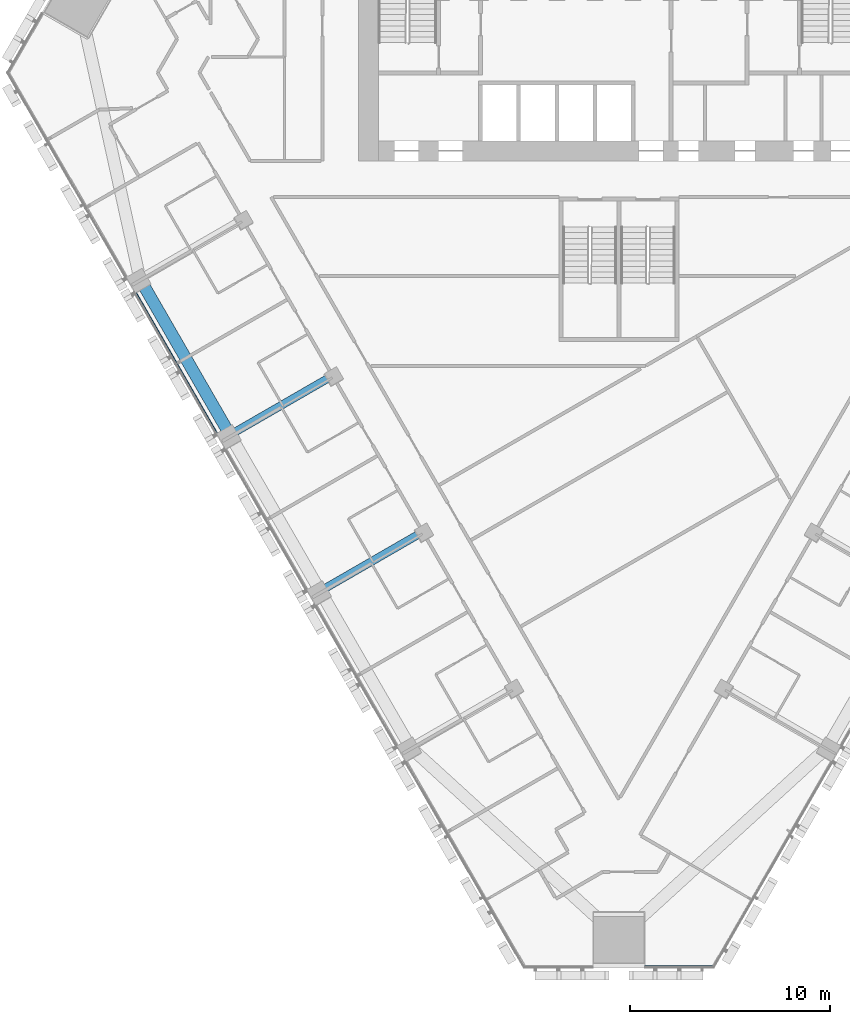
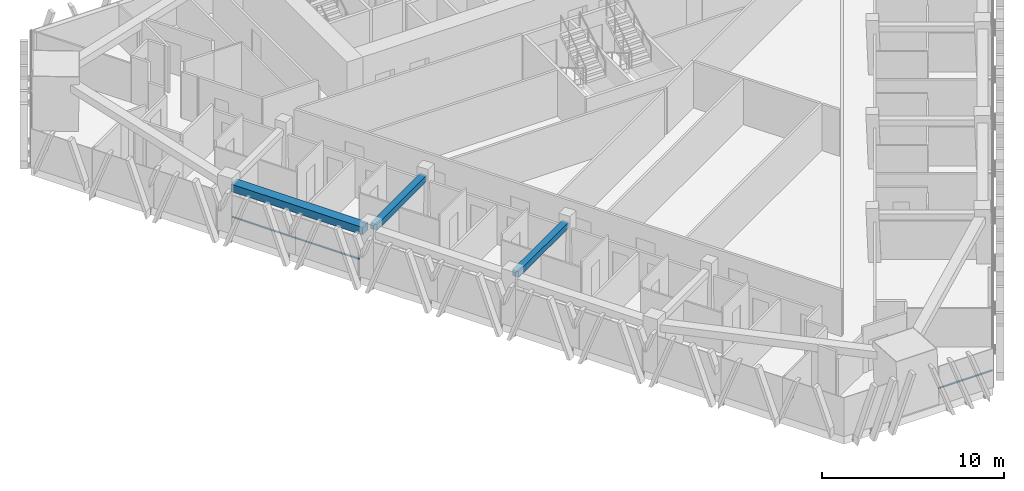
# One storey, part 3 of 17: 3 beams, 2 members, 2 elements without a shape of their own.
"""IFC4 building model written with IfcOpenShell, lengths in metres."""

from ifc_helpers import new_model, si_unit, direction, frame, origin, origin_2d, place, context, subcontext, project, spatial, rectangle, extrude, material, layer, layer_set, material_profile, profile_set, type_object, element, aggregate, save


model = new_model("IFC4")

# Units and contexts
model_context = context("Model", 3, precision=1e-05, world=origin(), true_north=direction((0.0, 1.0)))
body_context = subcontext(model_context, "Body", "Model", "MODEL_VIEW")
ifc_project = project(units=[si_unit("LENGTHUNIT", "METRE"), si_unit("AREAUNIT", "SQUARE_METRE"), si_unit("VOLUMEUNIT", "CUBIC_METRE"), si_unit("PLANEANGLEUNIT", "RADIAN"), si_unit("MASSUNIT", "GRAM", prefix="KILO")], contexts=[model_context])

# Site, building, storey
site_placement = place(None, origin())
site = spatial("IfcSite", under=ifc_project, at=site_placement, CompositionType="ELEMENT")
building_placement = place(site_placement, origin())
building = spatial("IfcBuilding", under=site, at=building_placement, Name="Altiplano Prism Tower", CompositionType="ELEMENT")
storey_placement = place(building_placement, frame((0.0, 0.0, 52.199951171875)))
storey = spatial("IfcBuildingStorey", under=building, at=storey_placement, Name="L12", CompositionType="ELEMENT", Elevation=52.199951171875)

# Curtain wall, member
ifc_material_1 = material(Name="Aluminium and glass", Category="aluminium")
ifc_layer = layer(ifc_material_1, 0.280029296875)
ifc_layer_set = layer_set([ifc_layer], Name="Aluminium and glass")
curtain_wall_type = type_object("IfcCurtainWallType", Name="CW1 typical co-living unitised curtain wall", PredefinedType="NOTDEFINED", material=ifc_layer_set)
curtain_wall_1_placement = place(storey_placement, origin())
curtain_wall_1 = element("IfcCurtainWall", 1, at=curtain_wall_1_placement, inside=storey, type_object=curtain_wall_type, Name="CW1 curtain wall south-west face L12", PredefinedType="NOTDEFINED")
ifc_material_2 = material(Name="Aluminium", Category="aluminium")
ifc_material_profile_1 = material_profile(ifc_material_2, rectangle(XDim=0.06005859375, YDim=0.080078125, at=origin_2d()), Name="CW1 transom 80 x 60")
ifc_profile_set_1 = profile_set([ifc_material_profile_1], Name="Aluminium")
member_type = type_object("IfcMemberType", Name="CW1 transom 80 x 60", PredefinedType="USERDEFINED", material=ifc_profile_set_1)
member_1_placement = place(storey_placement, frame((60.909423828125, 85.805908203125, 1.10009765625), z_axis=(0.499976305243, -0.866039083527, 0.0), x_axis=(0.866039083527, 0.499976305243, 0.0)))
member_1 = element("IfcMember", 2, at=member_1_placement, type_object=member_type, Name="CW1 transom", ObjectType="TRANSOM", PredefinedType="USERDEFINED", context=body_context, shape_type="SweptSolid", body=[
    extrude(rectangle(XDim=0.06005859375, YDim=0.080078125, at=origin_2d()), origin(), (0.0, 0.0, 1.0), 8.02001953125),
])
aggregate(curtain_wall_1, [member_1])

curtain_wall_2_placement = place(storey_placement, origin())
curtain_wall_2 = element("IfcCurtainWall", 3, at=curtain_wall_2_placement, inside=storey, type_object=curtain_wall_type, Name="CW1 curtain wall south chamfer L12", PredefinedType="NOTDEFINED")
member_2_placement = place(storey_placement, frame((86.300048828125, 52.203369140625, 1.10009765625), z_axis=(1.0, 0.0, 0.0), x_axis=(0.0, 1.0, 0.0)))
member_2 = element("IfcMember", 4, at=member_2_placement, type_object=member_type, Name="CW1 transom", ObjectType="TRANSOM", PredefinedType="USERDEFINED", context=body_context, shape_type="SweptSolid", body=[
    extrude(rectangle(XDim=0.06005859375, YDim=0.080078125, at=origin_2d()), origin(), (0.0, 0.0, 1.0), 3.4306640625),
])
aggregate(curtain_wall_2, [member_2])

# Beams
ifc_material_3 = material(Name="Concrete C60/75", Category="concrete")
ifc_material_profile_2 = material_profile(ifc_material_3, rectangle(XDim=0.60009765625, YDim=0.5, at=origin_2d()), Name="Edge beam 600x500")
ifc_profile_set_2 = profile_set([ifc_material_profile_2], Name="Concrete C60/75")
beam_type_1 = type_object("IfcBeamType", Name="Edge beam 600x500", PredefinedType="SPANDREL", material=ifc_profile_set_2)
beam_placement = place(storey_placement, frame((61.258056640625, 86.239013671875, 2.85009765625), z_axis=(0.499992746786, -0.866029591389, 0.0), x_axis=(0.866029591389, 0.499992746786, 0.0)))
element("IfcBeam", 5, at=beam_placement, inside=storey, type_object=beam_type_1, Name="Edge beam P11-P12 L13", PredefinedType="SPANDREL", context=body_context, shape_type="SweptSolid", body=[
    extrude(rectangle(XDim=0.60009765625, YDim=0.5, at=origin_2d()), origin(), (0.0, 0.0, 1.0), 8.33984375),
])
ifc_material_profile_3 = material_profile(ifc_material_3, rectangle(XDim=0.39990234375, YDim=0.39990234375, at=origin_2d()), Name="Tie beam 400x400")
ifc_profile_set_3 = profile_set([ifc_material_profile_3], Name="Concrete C60/75")
beam_type_2 = type_object("IfcBeamType", Name="Tie beam 400x400", PredefinedType="BEAM", material=ifc_profile_set_3)
for number, where, z_axis, x_axis, name in (
    (6, (70.63330078125, 81.640380859375, 2.900146484375), (-0.866031549307, -0.499989355492, 0.0), (0.499989355492, -0.866031549307, 0.0), "Tie beam I12 L13"),
    (7, (75.13330078125, 73.84619140625, 2.900146484375), (-0.866031549307, -0.499989355492, 0.0), (0.499989355492, -0.866031549307, 0.0), "Tie beam I13 L13"),
):
    element("IfcBeam", number, at=place(storey_placement, frame(where, z_axis=z_axis, x_axis=x_axis)), inside=storey, type_object=beam_type_2, Name=name, PredefinedType="BEAM", context=body_context, shape_type="SweptSolid", body=[
        extrude(rectangle(XDim=0.39990234375, YDim=0.39990234375, at=origin_2d()), origin(), (0.0, 0.0, 1.0), 5.48974609375),
    ])

save(model, "model.ifc")
